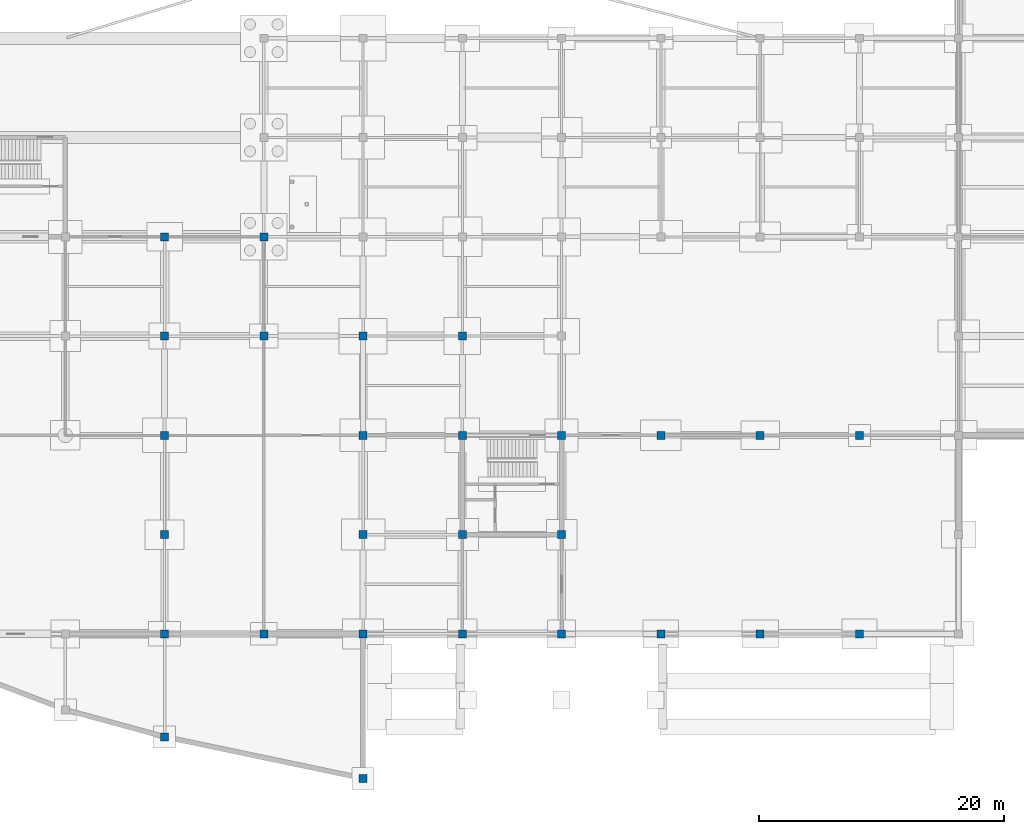
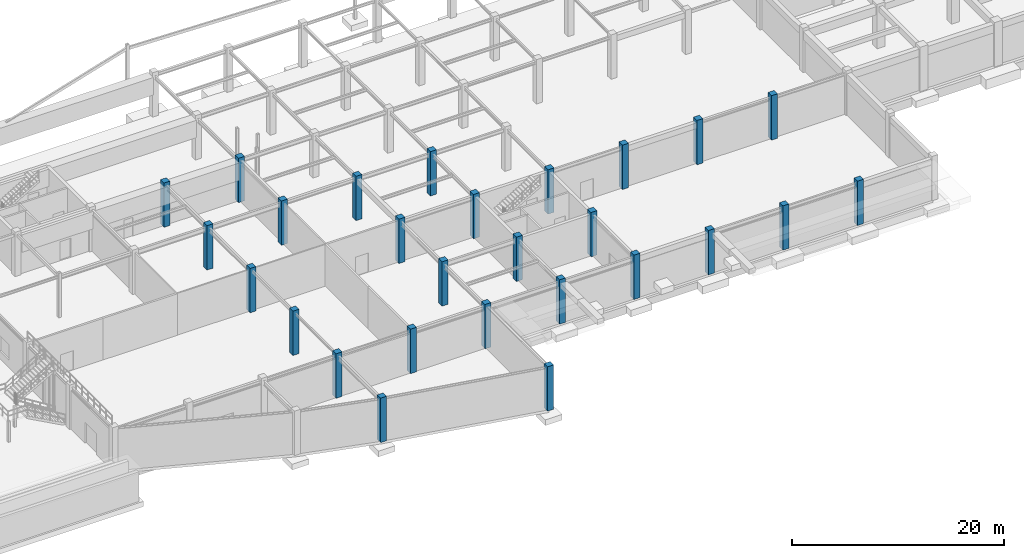
# One storey, part 15 of 67: 27 columns.
"""IFC4 building model written with IfcOpenShell, lengths in metres."""

from ifc_helpers import new_model, si_unit, direction, frame, origin, origin_2d, place, context, subcontext, project, spatial, rectangle, extrude, material, material_profile, profile_set, type_object, element, save


model = new_model("IFC4")

# Units and contexts
model_context = context("Model", 3, precision=1e-05, world=origin(), true_north=direction((0.0, 1.0)))
body_context = subcontext(model_context, "Body", "Model", "MODEL_VIEW")
ifc_project = project(units=[si_unit("LENGTHUNIT", "METRE"), si_unit("AREAUNIT", "SQUARE_METRE"), si_unit("VOLUMEUNIT", "CUBIC_METRE"), si_unit("PLANEANGLEUNIT", "RADIAN"), si_unit("MASSUNIT", "GRAM", prefix="KILO")], contexts=[model_context])

# Site, building, storey
site_placement = place(None, origin())
site = spatial("IfcSite", under=ifc_project, at=site_placement, CompositionType="ELEMENT")
building_placement = place(site_placement, origin())
building = spatial("IfcBuilding", under=site, at=building_placement, Name="Vaudrelin Polytechnic", CompositionType="ELEMENT")
storey_placement = place(building_placement, frame((0.0, 0.0, -5.10009765625)))
storey = spatial("IfcBuildingStorey", under=building, at=storey_placement, Name="B1", CompositionType="ELEMENT", Elevation=-5.10009765625)

# Columns
ifc_material = material(Name="Concrete 40 MPa", Category="concrete")
ifc_material_profile = material_profile(ifc_material, rectangle(XDim=0.64990234375, YDim=0.64990234375, at=origin_2d()), Name="RC650x650")
ifc_profile_set = profile_set([ifc_material_profile], Name="Concrete 40 MPa")
column_type = type_object("IfcColumnType", Name="COL-C-RC650", PredefinedType="COLUMN", material=ifc_profile_set)
for number, where, z_axis, x_axis, name in (
    (1, (64.800048828125, 0.0, 0.0), (0.0, 0.0, 1.0), (1.0, 0.0, 0.0), "Column B1 9-1"),
    (2, (64.800048828125, 8.10009765625, 0.0), (0.0, 0.0, 1.0), (1.0, 0.0, 0.0), "Column B1 9-2"),
    (3, (64.800048828125, 16.199951171875, 0.0), (0.0, 0.0, 1.0), (1.0, 0.0, 0.0), "Column B1 9-3"),
    (4, (64.800048828125, 24.300048828125, 0.0), (0.0, 0.0, 1.0), (1.0, 0.0, 0.0), "Column B1 9-4"),
    (5, (64.800048828125, 32.39990234375, 0.0), (0.0, 0.0, 1.0), (1.0, 0.0, 0.0), "Column B1 9-5"),
    (6, (72.89990234375, 0.0, 0.0), (0.0, 0.0, 1.0), (1.0, 0.0, 0.0), "Column B1 10-1"),
    (7, (72.89990234375, 24.300048828125, 0.0), (0.0, 0.0, 1.0), (1.0, 0.0, 0.0), "Column B1 10-4"),
    (8, (72.89990234375, 32.39990234375, 0.0), (0.0, 0.0, 1.0), (1.0, 0.0, 0.0), "Column B1 10-5"),
    (9, (81.0, 0.0, 0.0), (0.0, 0.0, 1.0), (1.0, 0.0, 0.0), "Column B1 11-1"),
    (10, (81.0, 8.10009765625, 0.0), (0.0, 0.0, 1.0), (1.0, 0.0, 0.0), "Column B1 11-2"),
    (11, (81.0, 16.199951171875, 0.0), (0.0, 0.0, 1.0), (1.0, 0.0, 0.0), "Column B1 11-3"),
    (12, (81.0, 24.300048828125, 0.0), (0.0, 0.0, 1.0), (1.0, 0.0, 0.0), "Column B1 11-4"),
    (13, (89.10009765625, 0.0, 0.0), (0.0, 0.0, 1.0), (1.0, 0.0, 0.0), "Column B1 12-1"),
    (14, (89.10009765625, 8.10009765625, 0.0), (0.0, 0.0, 1.0), (1.0, 0.0, 0.0), "Column B1 12-2"),
    (15, (89.10009765625, 16.199951171875, 0.0), (0.0, 0.0, 1.0), (1.0, 0.0, 0.0), "Column B1 12-3"),
    (16, (89.10009765625, 24.300048828125, 0.0), (0.0, 0.0, 1.0), (1.0, 0.0, 0.0), "Column B1 12-4"),
    (17, (97.199951171875, 0.0, 0.0), (0.0, 0.0, 1.0), (1.0, 0.0, 0.0), "Column B1 13-1"),
    (18, (97.199951171875, 8.10009765625, 0.0), (0.0, 0.0, 1.0), (1.0, 0.0, 0.0), "Column B1 13-2"),
    (19, (97.199951171875, 16.199951171875, 0.0), (0.0, 0.0, 1.0), (1.0, 0.0, 0.0), "Column B1 13-3"),
    (20, (105.300048828125, 0.0, 0.0), (0.0, 0.0, 1.0), (1.0, 0.0, 0.0), "Column B1 14-1"),
    (21, (105.300048828125, 16.199951171875, 0.0), (0.0, 0.0, 1.0), (1.0, 0.0, 0.0), "Column B1 14-3"),
    (22, (113.39990234375, 0.0, 0.0), (0.0, 0.0, 1.0), (1.0, 0.0, 0.0), "Column B1 15-1"),
    (23, (113.39990234375, 16.199951171875, 0.0), (0.0, 0.0, 1.0), (1.0, 0.0, 0.0), "Column B1 15-3"),
    (24, (121.5, 0.0, 0.0), (0.0, 0.0, 1.0), (1.0, 0.0, 0.0), "Column B1 16-1"),
    (25, (121.5, 16.199951171875, 0.0), (0.0, 0.0, 1.0), (1.0, 0.0, 0.0), "Column B1 16-3"),
    (26, (64.800048828125, -8.39990234375, 0.0), (0.0, 0.0, 1.0), (1.0, 0.0, 0.0), "Deconstructivist column B1 V2P_8"),
    (27, (81.0, -11.800048828125, 0.0), (0.0, 0.0, 1.0), (1.0, 0.0, 0.0), "Deconstructivist column B1 V2P_10"),
):
    element("IfcColumn", number, at=place(storey_placement, frame(where, z_axis=z_axis, x_axis=x_axis)), inside=storey, type_object=column_type, Name=name, PredefinedType="COLUMN", context=body_context, shape_type="SweptSolid", body=[
        extrude(rectangle(XDim=0.64990234375, YDim=0.64990234375, at=origin_2d()), origin(), (0.0, 0.0, 1.0), 5.10009765625),
    ])

save(model, "model.ifc")
